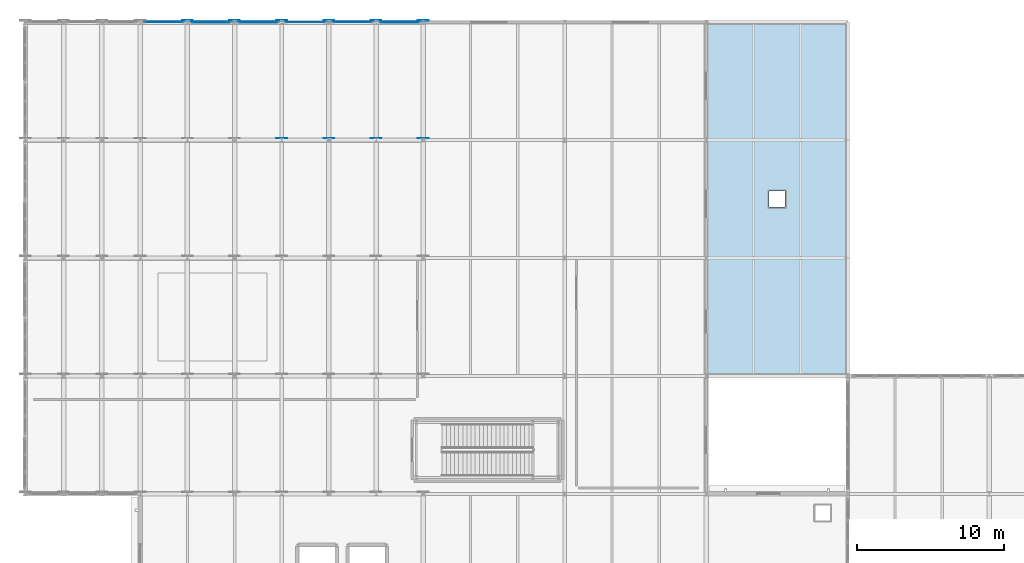
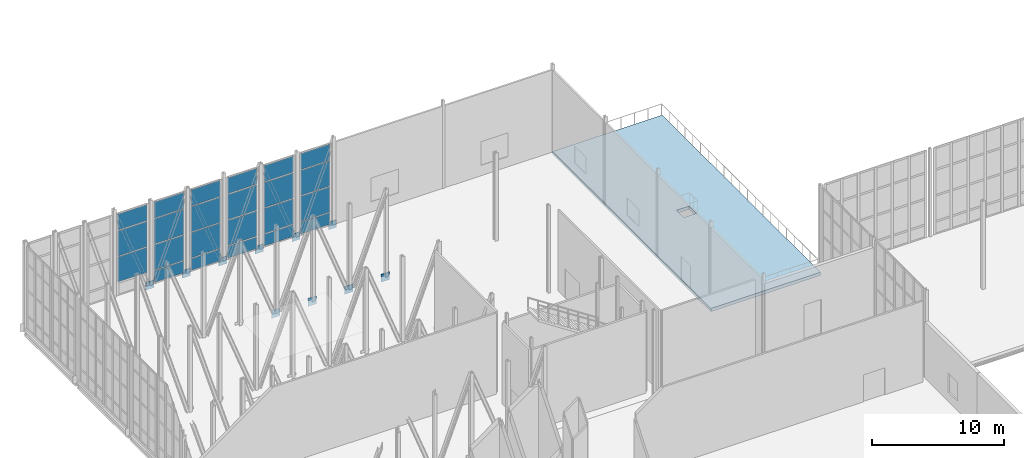
# One storey, part 56 of 73: 33 plates, 1 slab, 6 elements without a shape of their own.
"""IFC4 building model written with IfcOpenShell, lengths in metres."""

from ifc_helpers import new_model, si_unit, direction, frame, origin, origin_2d, place, context, subcontext, project, spatial, polyline, rectangle, outline, extrude, material, layer, layer_set, type_object, element, aggregate, save


model = new_model("IFC4")

# Units and contexts
model_context = context("Model", 3, precision=1e-05, world=origin(), true_north=direction((0.0, 1.0)))
body_context = subcontext(model_context, "Body", "Model", "MODEL_VIEW")
ifc_project = project(units=[si_unit("LENGTHUNIT", "METRE"), si_unit("AREAUNIT", "SQUARE_METRE"), si_unit("VOLUMEUNIT", "CUBIC_METRE"), si_unit("PLANEANGLEUNIT", "RADIAN"), si_unit("MASSUNIT", "GRAM", prefix="KILO")], contexts=[model_context])

# Site, building, storey
site_placement = place(None, origin())
site = spatial("IfcSite", under=ifc_project, at=site_placement, CompositionType="ELEMENT")
building_placement = place(site_placement, origin())
building = spatial("IfcBuilding", under=site, at=building_placement, Name="Alderhovde Museum", CompositionType="ELEMENT")
storey_placement = place(building_placement, frame((0.0, 0.0, 17.39990234375)))
storey = spatial("IfcBuildingStorey", under=building, at=storey_placement, Name="L04", CompositionType="ELEMENT", Elevation=17.39990234375)

# Curtain wall, plates
ifc_material_1 = material(Name="Triple-Glazed Bronze-Anodised Curtain Wall", Category="glass")
ifc_layer_1 = layer(ifc_material_1, 0.219970703125)
ifc_layer_set_1 = layer_set([ifc_layer_1], Name="Triple-Glazed Bronze-Anodised Curtain Wall")
curtain_wall_type = type_object("IfcCurtainWallType", Name="CW-UNIT-272x760", PredefinedType="USERDEFINED", material=ifc_layer_set_1)
curtain_wall_1_placement = place(storey_placement, origin())
curtain_wall_1 = element("IfcCurtainWall", 1, at=curtain_wall_1_placement, inside=storey, type_object=curtain_wall_type, Name="L04 Unitised Curtain Wall 128", ObjectType="UNITISED CURTAIN WALL", PredefinedType="USERDEFINED")
ifc_material_2 = material(Name="Triple-Glazed Low-E Laminated Glass", Category="glass")
ifc_layer_2 = layer(ifc_material_2, 0.028076171875)
ifc_layer_set_2 = layer_set([ifc_layer_2], Name="Triple-Glazed Low-E Laminated Glass")
plate_type_1 = type_object("IfcPlateType", Name="CWP-GLAZ-28", PredefinedType="CURTAIN_PANEL", material=ifc_layer_set_2)
plate_1_placement = place(storey_placement, frame((20.800048828125, 112.0, 0.0751953125), z_axis=(0.0, 0.0, 1.0), x_axis=(1.0, 0.0, 0.0)))
plate_1 = element("IfcPlate", 2, at=plate_1_placement, type_object=plate_type_1, Name="CW30 panel 1.1", PredefinedType="CURTAIN_PANEL", context=body_context, shape_type="SweptSolid", body=[
    extrude(rectangle(XDim=2.570068359375, YDim=0.028076171875, at=origin_2d()), origin(), (0.0, 0.0, 1.0), 1.08740234375),
])
plate_2_placement = place(storey_placement, frame((20.800048828125, 112.0, 1.23779296875), z_axis=(0.0, 0.0, 1.0), x_axis=(1.0, 0.0, 0.0)))
plate_2 = element("IfcPlate", 3, at=plate_2_placement, type_object=plate_type_1, Name="CW30 panel 1.2", PredefinedType="CURTAIN_PANEL", context=body_context, shape_type="SweptSolid", body=[
    extrude(rectangle(XDim=2.570068359375, YDim=0.028076171875, at=origin_2d()), origin(), (0.0, 0.0, 1.0), 2.324951171875),
])
plate_3_placement = place(storey_placement, frame((20.800048828125, 112.0, 3.6376953125), z_axis=(0.0, 0.0, 1.0), x_axis=(1.0, 0.0, 0.0)))
plate_3 = element("IfcPlate", 4, at=plate_3_placement, type_object=plate_type_1, Name="CW30 panel 1.3", PredefinedType="CURTAIN_PANEL", context=body_context, shape_type="SweptSolid", body=[
    extrude(rectangle(XDim=2.570068359375, YDim=0.028076171875, at=origin_2d()), origin(), (0.0, 0.0, 1.0), 2.324951171875),
])
plate_4_placement = place(storey_placement, frame((20.800048828125, 112.0, 6.03759765625), z_axis=(0.0, 0.0, 1.0), x_axis=(1.0, 0.0, 0.0)))
plate_4 = element("IfcPlate", 5, at=plate_4_placement, type_object=plate_type_1, Name="CW30 panel 1.4", PredefinedType="CURTAIN_PANEL", context=body_context, shape_type="SweptSolid", body=[
    extrude(rectangle(XDim=2.570068359375, YDim=0.028076171875, at=origin_2d()), origin(), (0.0, 0.0, 1.0), 1.487548828125),
])
aggregate(curtain_wall_1, [plate_1, plate_2, plate_3, plate_4])

curtain_wall_2_placement = place(storey_placement, origin())
curtain_wall_2 = element("IfcCurtainWall", 6, at=curtain_wall_2_placement, inside=storey, type_object=curtain_wall_type, Name="L04 Unitised Curtain Wall 125", ObjectType="UNITISED CURTAIN WALL", PredefinedType="USERDEFINED")
ifc_material_3 = material(Name="Triple-Glazed Low-E Laminated Glass", Category="glass")
ifc_layer_3 = layer(ifc_material_3, 0.035888671875)
ifc_layer_set_3 = layer_set([ifc_layer_3], Name="Triple-Glazed Low-E Laminated Glass")
plate_type_2 = type_object("IfcPlateType", Name="CWP-GLAZ-36", PredefinedType="CURTAIN_PANEL", material=ifc_layer_set_3)
plate_5_placement = place(storey_placement, frame((11.199951171875, 112.0, 1.23779296875), z_axis=(0.0, 0.0, 1.0), x_axis=(1.0, 0.0, 0.0)))
plate_5 = element("IfcPlate", 7, at=plate_5_placement, type_object=plate_type_2, Name="CW30 panel 1.2", PredefinedType="CURTAIN_PANEL", context=body_context, shape_type="SweptSolid", body=[
    extrude(rectangle(XDim=2.570068359375, YDim=0.035888671875, at=origin_2d()), origin(), (0.0, 0.0, 1.0), 2.324951171875),
])
plate_6_placement = place(storey_placement, frame((11.199951171875, 112.0, 3.6376953125), z_axis=(0.0, 0.0, 1.0), x_axis=(1.0, 0.0, 0.0)))
plate_6 = element("IfcPlate", 8, at=plate_6_placement, type_object=plate_type_2, Name="CW30 panel 1.3", PredefinedType="CURTAIN_PANEL", context=body_context, shape_type="SweptSolid", body=[
    extrude(rectangle(XDim=2.570068359375, YDim=0.035888671875, at=origin_2d()), origin(), (0.0, 0.0, 1.0), 2.324951171875),
])
plate_7_placement = place(storey_placement, frame((11.199951171875, 112.0, 6.03759765625), z_axis=(0.0, 0.0, 1.0), x_axis=(1.0, 0.0, 0.0)))
plate_7 = element("IfcPlate", 9, at=plate_7_placement, type_object=plate_type_2, Name="CW30 panel 1.4", PredefinedType="CURTAIN_PANEL", context=body_context, shape_type="SweptSolid", body=[
    extrude(rectangle(XDim=2.570068359375, YDim=0.035888671875, at=origin_2d()), origin(), (0.0, 0.0, 1.0), 1.487548828125),
])
aggregate(curtain_wall_2, [plate_5, plate_6, plate_7])

curtain_wall_3_placement = place(storey_placement, origin())
curtain_wall_3 = element("IfcCurtainWall", 10, at=curtain_wall_3_placement, inside=storey, type_object=curtain_wall_type, Name="L04 Unitised Curtain Wall 129", ObjectType="UNITISED CURTAIN WALL", PredefinedType="USERDEFINED")
plate_8_placement = place(storey_placement, frame((24.0, 112.0, 0.0751953125), z_axis=(0.0, 0.0, 1.0), x_axis=(1.0, 0.0, 0.0)))
plate_8 = element("IfcPlate", 11, at=plate_8_placement, type_object=plate_type_2, Name="CW30 panel 1.1", PredefinedType="CURTAIN_PANEL", context=body_context, shape_type="SweptSolid", body=[
    extrude(rectangle(XDim=2.570068359375, YDim=0.035888671875, at=origin_2d()), origin(), (0.0, 0.0, 1.0), 1.08740234375),
])
plate_9_placement = place(storey_placement, frame((24.0, 112.0, 1.23779296875), z_axis=(0.0, 0.0, 1.0), x_axis=(1.0, 0.0, 0.0)))
plate_9 = element("IfcPlate", 12, at=plate_9_placement, type_object=plate_type_2, Name="CW30 panel 1.2", PredefinedType="CURTAIN_PANEL", context=body_context, shape_type="SweptSolid", body=[
    extrude(rectangle(XDim=2.570068359375, YDim=0.035888671875, at=origin_2d()), origin(), (0.0, 0.0, 1.0), 2.324951171875),
])
plate_10_placement = place(storey_placement, frame((24.0, 112.0, 3.6376953125), z_axis=(0.0, 0.0, 1.0), x_axis=(1.0, 0.0, 0.0)))
plate_10 = element("IfcPlate", 13, at=plate_10_placement, type_object=plate_type_2, Name="CW30 panel 1.3", PredefinedType="CURTAIN_PANEL", context=body_context, shape_type="SweptSolid", body=[
    extrude(rectangle(XDim=2.570068359375, YDim=0.035888671875, at=origin_2d()), origin(), (0.0, 0.0, 1.0), 2.324951171875),
])
plate_11_placement = place(storey_placement, frame((24.0, 112.0, 6.03759765625), z_axis=(0.0, 0.0, 1.0), x_axis=(1.0, 0.0, 0.0)))
plate_11 = element("IfcPlate", 14, at=plate_11_placement, type_object=plate_type_2, Name="CW30 panel 1.4", PredefinedType="CURTAIN_PANEL", context=body_context, shape_type="SweptSolid", body=[
    extrude(rectangle(XDim=2.570068359375, YDim=0.035888671875, at=origin_2d()), origin(), (0.0, 0.0, 1.0), 1.487548828125),
])
aggregate(curtain_wall_3, [plate_8, plate_9, plate_10, plate_11])

curtain_wall_4_placement = place(storey_placement, origin())
curtain_wall_4 = element("IfcCurtainWall", 15, at=curtain_wall_4_placement, inside=storey, type_object=curtain_wall_type, Name="L04 Unitised Curtain Wall 126", ObjectType="UNITISED CURTAIN WALL", PredefinedType="USERDEFINED")
ifc_material_4 = material(Name="Triple-Glazed Low-E Laminated Glass", Category="glass")
ifc_layer_4 = layer(ifc_material_4, 0.0439453125)
ifc_layer_set_4 = layer_set([ifc_layer_4], Name="Triple-Glazed Low-E Laminated Glass")
plate_type_3 = type_object("IfcPlateType", Name="CWP-GLAZ-44", PredefinedType="CURTAIN_PANEL", material=ifc_layer_set_4)
plate_12_placement = place(storey_placement, frame((14.39990234375, 112.0, 0.0751953125), z_axis=(0.0, 0.0, 1.0), x_axis=(1.0, 0.0, 0.0)))
plate_12 = element("IfcPlate", 16, at=plate_12_placement, type_object=plate_type_3, Name="CW30 panel 1.1", PredefinedType="CURTAIN_PANEL", context=body_context, shape_type="SweptSolid", body=[
    extrude(rectangle(XDim=2.570068359375, YDim=0.0439453125, at=origin_2d()), origin(), (0.0, 0.0, 1.0), 1.08740234375),
])
plate_13_placement = place(storey_placement, frame((14.39990234375, 112.0, 1.23779296875), z_axis=(0.0, 0.0, 1.0), x_axis=(1.0, 0.0, 0.0)))
plate_13 = element("IfcPlate", 17, at=plate_13_placement, type_object=plate_type_3, Name="CW30 panel 1.2", PredefinedType="CURTAIN_PANEL", context=body_context, shape_type="SweptSolid", body=[
    extrude(rectangle(XDim=2.570068359375, YDim=0.0439453125, at=origin_2d()), origin(), (0.0, 0.0, 1.0), 2.324951171875),
])
plate_14_placement = place(storey_placement, frame((14.39990234375, 112.0, 3.6376953125), z_axis=(0.0, 0.0, 1.0), x_axis=(1.0, 0.0, 0.0)))
plate_14 = element("IfcPlate", 18, at=plate_14_placement, type_object=plate_type_3, Name="CW30 panel 1.3", PredefinedType="CURTAIN_PANEL", context=body_context, shape_type="SweptSolid", body=[
    extrude(rectangle(XDim=2.570068359375, YDim=0.0439453125, at=origin_2d()), origin(), (0.0, 0.0, 1.0), 2.324951171875),
])
plate_15_placement = place(storey_placement, frame((14.39990234375, 112.0, 6.03759765625), z_axis=(0.0, 0.0, 1.0), x_axis=(1.0, 0.0, 0.0)))
plate_15 = element("IfcPlate", 19, at=plate_15_placement, type_object=plate_type_3, Name="CW30 panel 1.4", PredefinedType="CURTAIN_PANEL", context=body_context, shape_type="SweptSolid", body=[
    extrude(rectangle(XDim=2.570068359375, YDim=0.0439453125, at=origin_2d()), origin(), (0.0, 0.0, 1.0), 1.487548828125),
])
aggregate(curtain_wall_4, [plate_12, plate_13, plate_14, plate_15])

curtain_wall_5_placement = place(storey_placement, origin())
curtain_wall_5 = element("IfcCurtainWall", 20, at=curtain_wall_5_placement, inside=storey, type_object=curtain_wall_type, Name="L04 Unitised Curtain Wall 130", ObjectType="UNITISED CURTAIN WALL", PredefinedType="USERDEFINED")
plate_16_placement = place(storey_placement, frame((27.199951171875, 112.0, 0.0751953125), z_axis=(0.0, 0.0, 1.0), x_axis=(1.0, 0.0, 0.0)))
plate_16 = element("IfcPlate", 21, at=plate_16_placement, type_object=plate_type_3, Name="CW30 panel 1.1", PredefinedType="CURTAIN_PANEL", context=body_context, shape_type="SweptSolid", body=[
    extrude(rectangle(XDim=2.570068359375, YDim=0.0439453125, at=origin_2d()), origin(), (0.0, 0.0, 1.0), 1.08740234375),
])
plate_17_placement = place(storey_placement, frame((27.199951171875, 112.0, 1.23779296875), z_axis=(0.0, 0.0, 1.0), x_axis=(1.0, 0.0, 0.0)))
plate_17 = element("IfcPlate", 22, at=plate_17_placement, type_object=plate_type_3, Name="CW30 panel 1.2", PredefinedType="CURTAIN_PANEL", context=body_context, shape_type="SweptSolid", body=[
    extrude(rectangle(XDim=2.570068359375, YDim=0.0439453125, at=origin_2d()), origin(), (0.0, 0.0, 1.0), 2.324951171875),
])
plate_18_placement = place(storey_placement, frame((27.199951171875, 112.0, 3.6376953125), z_axis=(0.0, 0.0, 1.0), x_axis=(1.0, 0.0, 0.0)))
plate_18 = element("IfcPlate", 23, at=plate_18_placement, type_object=plate_type_3, Name="CW30 panel 1.3", PredefinedType="CURTAIN_PANEL", context=body_context, shape_type="SweptSolid", body=[
    extrude(rectangle(XDim=2.570068359375, YDim=0.0439453125, at=origin_2d()), origin(), (0.0, 0.0, 1.0), 2.324951171875),
])
plate_19_placement = place(storey_placement, frame((27.199951171875, 112.0, 6.03759765625), z_axis=(0.0, 0.0, 1.0), x_axis=(1.0, 0.0, 0.0)))
plate_19 = element("IfcPlate", 24, at=plate_19_placement, type_object=plate_type_3, Name="CW30 panel 1.4", PredefinedType="CURTAIN_PANEL", context=body_context, shape_type="SweptSolid", body=[
    extrude(rectangle(XDim=2.570068359375, YDim=0.0439453125, at=origin_2d()), origin(), (0.0, 0.0, 1.0), 1.487548828125),
])
aggregate(curtain_wall_5, [plate_16, plate_17, plate_18, plate_19])

curtain_wall_6_placement = place(storey_placement, origin())
curtain_wall_6 = element("IfcCurtainWall", 25, at=curtain_wall_6_placement, inside=storey, type_object=curtain_wall_type, Name="L04 Unitised Curtain Wall 127", ObjectType="UNITISED CURTAIN WALL", PredefinedType="USERDEFINED")
ifc_material_5 = material(Name="Triple-Glazed Low-E Laminated Glass", Category="glass")
ifc_layer_5 = layer(ifc_material_5, 0.052001953125)
ifc_layer_set_5 = layer_set([ifc_layer_5], Name="Triple-Glazed Low-E Laminated Glass")
plate_type_4 = type_object("IfcPlateType", Name="CWP-GLAZ-52", PredefinedType="CURTAIN_PANEL", material=ifc_layer_set_5)
plate_20_placement = place(storey_placement, frame((17.60009765625, 112.0, 0.0751953125), z_axis=(0.0, 0.0, 1.0), x_axis=(1.0, 0.0, 0.0)))
plate_20 = element("IfcPlate", 26, at=plate_20_placement, type_object=plate_type_4, Name="CW30 panel 1.1", PredefinedType="CURTAIN_PANEL", context=body_context, shape_type="SweptSolid", body=[
    extrude(rectangle(XDim=2.570068359375, YDim=0.052001953125, at=origin_2d()), origin(), (0.0, 0.0, 1.0), 1.08740234375),
])
plate_21_placement = place(storey_placement, frame((17.60009765625, 112.0, 1.23779296875), z_axis=(0.0, 0.0, 1.0), x_axis=(1.0, 0.0, 0.0)))
plate_21 = element("IfcPlate", 27, at=plate_21_placement, type_object=plate_type_4, Name="CW30 panel 1.2", PredefinedType="CURTAIN_PANEL", context=body_context, shape_type="SweptSolid", body=[
    extrude(rectangle(XDim=2.570068359375, YDim=0.052001953125, at=origin_2d()), origin(), (0.0, 0.0, 1.0), 2.324951171875),
])
plate_22_placement = place(storey_placement, frame((17.60009765625, 112.0, 3.6376953125), z_axis=(0.0, 0.0, 1.0), x_axis=(1.0, 0.0, 0.0)))
plate_22 = element("IfcPlate", 28, at=plate_22_placement, type_object=plate_type_4, Name="CW30 panel 1.3", PredefinedType="CURTAIN_PANEL", context=body_context, shape_type="SweptSolid", body=[
    extrude(rectangle(XDim=2.570068359375, YDim=0.052001953125, at=origin_2d()), origin(), (0.0, 0.0, 1.0), 2.324951171875),
])
plate_23_placement = place(storey_placement, frame((17.60009765625, 112.0, 6.03759765625), z_axis=(0.0, 0.0, 1.0), x_axis=(1.0, 0.0, 0.0)))
plate_23 = element("IfcPlate", 29, at=plate_23_placement, type_object=plate_type_4, Name="CW30 panel 1.4", PredefinedType="CURTAIN_PANEL", context=body_context, shape_type="SweptSolid", body=[
    extrude(rectangle(XDim=2.570068359375, YDim=0.052001953125, at=origin_2d()), origin(), (0.0, 0.0, 1.0), 1.487548828125),
])
aggregate(curtain_wall_6, [plate_20, plate_21, plate_22, plate_23])

# Plates
ifc_material_6 = material(Name="Steel S355J2", Category="steel")
ifc_layer_6 = layer(ifc_material_6, 0.028076171875)
ifc_layer_set_6 = layer_set([ifc_layer_6], Name="Steel S355J2")
plate_type_5 = type_object("IfcPlateType", Name="PLT-GUSSET-28", PredefinedType="USERDEFINED", material=ifc_layer_set_6)
for number, where, z_axis, x_axis, name in (
    (30, (19.199951171875, 104.1298828125, -0.48974609375), (0.0, 0.0, 1.0), (1.0, 0.0, 0.0), "Transfer Truss Gusset Plate Y=104 T2-7"),
    (31, (22.39990234375, 104.1298828125, -0.48974609375), (0.0, 0.0, 1.0), (1.0, 0.0, 0.0), "Transfer Truss Gusset Plate Y=104 T2-8"),
    (32, (25.60009765625, 104.1298828125, -0.48974609375), (0.0, 0.0, 1.0), (1.0, 0.0, 0.0), "Transfer Truss Gusset Plate Y=104 T2-9"),
    (33, (28.800048828125, 104.1298828125, -0.48974609375), (0.0, 0.0, 1.0), (1.0, 0.0, 0.0), "Transfer Truss Gusset Plate Y=104 T2-10"),
    (34, (12.800048828125, 112.1298828125, -0.48974609375), (0.0, 0.0, 1.0), (1.0, 0.0, 0.0), "Transfer Truss Gusset Plate Y=112 T2-5"),
    (35, (16.0, 112.1298828125, -0.48974609375), (0.0, 0.0, 1.0), (1.0, 0.0, 0.0), "Transfer Truss Gusset Plate Y=112 T2-6"),
    (36, (19.199951171875, 112.1298828125, -0.48974609375), (0.0, 0.0, 1.0), (1.0, 0.0, 0.0), "Transfer Truss Gusset Plate Y=112 T2-7"),
    (37, (22.39990234375, 112.1298828125, -0.48974609375), (0.0, 0.0, 1.0), (1.0, 0.0, 0.0), "Transfer Truss Gusset Plate Y=112 T2-8"),
    (38, (25.60009765625, 112.1298828125, -0.48974609375), (0.0, 0.0, 1.0), (1.0, 0.0, 0.0), "Transfer Truss Gusset Plate Y=112 T2-9"),
    (39, (28.800048828125, 112.1298828125, -0.48974609375), (0.0, 0.0, 1.0), (1.0, 0.0, 0.0), "Transfer Truss Gusset Plate Y=112 T2-10"),
):
    element("IfcPlate", number, at=place(storey_placement, frame(where, z_axis=z_axis, x_axis=x_axis)), inside=storey, type_object=plate_type_5, Name=name, ObjectType="GUSSET PLATE", PredefinedType="USERDEFINED", context=body_context, shape_type="SweptSolid", body=[
        extrude(rectangle(XDim=0.719970703125, YDim=0.028076171875, at=origin_2d()), origin(), (0.0, 0.0, 1.0), 0.719970703125),
    ])

# Slab
ifc_material_7 = material(Name="Concrete C40/50", Category="concrete")
ifc_layer_7 = layer(ifc_material_7, 0.300048828125)
ifc_layer_set_7 = layer_set([ifc_layer_7], Name="Concrete C40/50")
slab_type = type_object("IfcSlabType", Name="SLB-TERR-300", PredefinedType="FLOOR", material=ifc_layer_set_7)
slab_placement = place(storey_placement, frame((0.0, 0.0, -0.2998046875)))
element("IfcSlab", 40, at=slab_placement, inside=storey, type_object=slab_type, Name="L04 Paleontology Belvedere Terrace", PredefinedType="FLOOR", context=body_context, shape_type="SweptSolid", body=[
    extrude(outline(polyline([(48.0, 88.0), (57.60009765625, 88.0), (57.60009765625, 112.0), (48.0, 112.0), (48.0, 88.0)]), holes=[polyline([(52.25, 99.449951171875), (53.35009765625, 99.449951171875), (53.35009765625, 100.550048828125), (52.25, 100.550048828125), (52.25, 99.449951171875)])]), origin(), (0.0, 0.0, 1.0), 0.2998046875),
])

save(model, "model.ifc")
